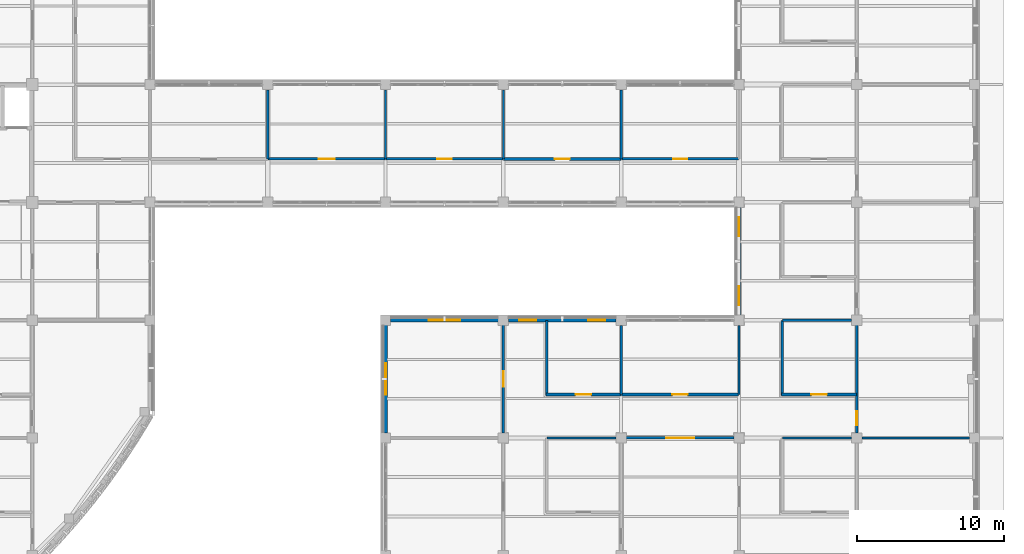
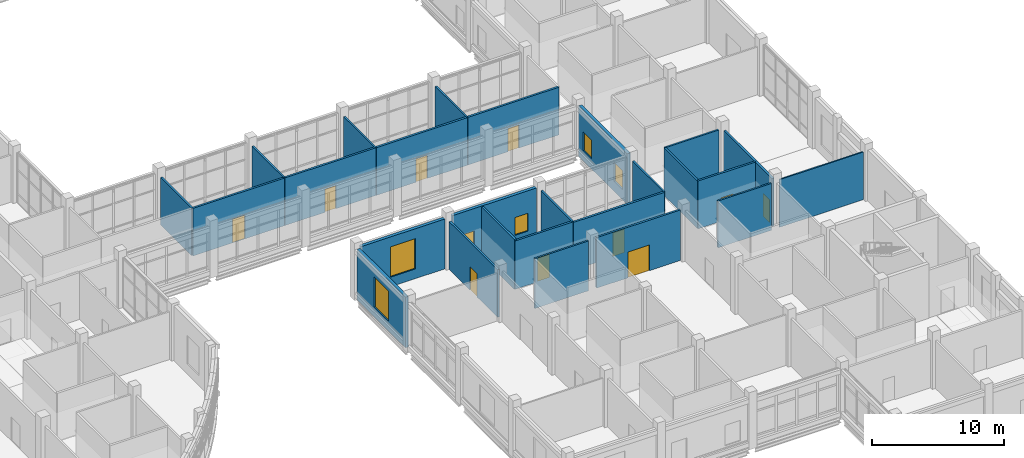
# One storey, part 77 of 105: 26 walls, 10 doors, 6 windows, 16 openings.
"""IFC4 building model written with IfcOpenShell, lengths in metres."""

from ifc_helpers import new_model, si_unit, derived_unit, direction, frame, frame_2d, origin, place, context, subcontext, project, spatial, rectangle, extrude, material, layer, layer_set, type_object, element, fill, save


model = new_model("IFC4")

# Units and contexts
model_context = context("Model", 3, precision=1e-05, world=origin(), true_north=direction((0.0, 1.0)))
body_context = subcontext(model_context, "Body", "Model", "MODEL_VIEW")
ifc_project = project(units=[si_unit("LENGTHUNIT", "METRE"), si_unit("AREAUNIT", "SQUARE_METRE"), si_unit("VOLUMEUNIT", "CUBIC_METRE"), si_unit("PLANEANGLEUNIT", "RADIAN"), si_unit("MASSUNIT", "GRAM", prefix="KILO"), derived_unit("THERMALTRANSMITTANCEUNIT", [(si_unit("MASSUNIT", "GRAM", prefix="KILO"), 1), (si_unit("TIMEUNIT", "SECOND"), -3), (si_unit("THERMODYNAMICTEMPERATUREUNIT", "KELVIN"), -1)])], contexts=[model_context])

# Site, building, storey
site_placement = place(None, origin())
site = spatial("IfcSite", under=ifc_project, at=site_placement, CompositionType="ELEMENT")
building_placement = place(site_placement, origin())
building = spatial("IfcBuilding", under=site, at=building_placement, Name="Veyamyaing Civic Hall", CompositionType="ELEMENT")
storey_placement = place(building_placement, origin())
storey = spatial("IfcBuildingStorey", under=building, at=storey_placement, Name="L00", CompositionType="ELEMENT", Elevation=0.0)

# Wall, openings, windows
ifc_material_1 = material(Name="Precast concrete C40/50", Category="concrete")
ifc_layer_1 = layer(ifc_material_1, 0.280029296875, Name="Precast concrete C40/50")
ifc_layer_set_1 = layer_set([ifc_layer_1], Name="Precast concrete C40/50")
wall_type_1 = type_object("IfcWallType", Name="WT-04", PredefinedType="SOLIDWALL", material=ifc_layer_set_1)
wall_1_placement = place(storey_placement, frame((160.0, 40.3349609375, 0.0), z_axis=(0.0, 0.0, 1.0), x_axis=(0.0, 1.0, 0.0)))
wall_1 = element("IfcWall", 1, at=wall_1_placement, inside=storey, type_object=wall_type_1, Name="Exterior facade wall WT-04 L00 W 21.6", PredefinedType="SOLIDWALL", context=body_context, shape_type="SweptSolid", body=[
    extrude(rectangle(XDim=7.330078125, YDim=0.280029296875, at=frame_2d((3.6650390625, 0.0))), origin(), (0.0, 0.0, 1.0), 4.674072265625),
])
opening_1_placement = place(wall_1_placement, frame((0.679443359375, 0.0, 0.949951171875)))
opening_1 = element("IfcOpeningElement", 2, at=opening_1_placement, cuts=wall_1, Name="Opening W-31", PredefinedType="OPENING", context=body_context, shape_type="SweptSolid", body=[
    extrude(rectangle(XDim=1.280029296875, YDim=1.719970703125, at=frame_2d((0.64013671875, 0.85986328125))), frame((0.0, 0.14990234375, 0.0), z_axis=(0.0, -1.0, 0.0), x_axis=(1.0, 0.0, 0.0)), (0.0, 0.0, 1.0), 0.300048828125),
])
opening_2_placement = place(wall_1_placement, frame((5.37060546875, 0.0, 0.949951171875)))
opening_2 = element("IfcOpeningElement", 3, at=opening_2_placement, cuts=wall_1, Name="Opening W-31", PredefinedType="OPENING", context=body_context, shape_type="SweptSolid", body=[
    extrude(rectangle(XDim=1.280029296875, YDim=1.719970703125, at=frame_2d((0.64013671875, 0.85986328125))), frame((0.0, 0.14990234375, 0.0), z_axis=(0.0, -1.0, 0.0), x_axis=(1.0, 0.0, 0.0)), (0.0, 0.0, 1.0), 0.300048828125),
])
ifc_material_2 = material(Name="Low-E insulated glass", Category="glass")
window_type_1 = type_object("IfcWindowType", Name="W-31", PartitioningType="SINGLE_PANEL", PredefinedType="WINDOW", material=ifc_material_2)
window_1_placement = place(opening_1_placement, origin())
window_1 = element("IfcWindow", 4, at=window_1_placement, inside=storey, type_object=window_type_1, Name="Facade window W-31 L00 W 21.6.1", OverallHeight=1.719970703125, OverallWidth=1.280029296875, PartitioningType="SINGLE_PANEL", PredefinedType="WINDOW", context=body_context, shape_type="SweptSolid", body=[
    extrude(rectangle(XDim=1.280029296875, YDim=1.719970703125, at=frame_2d((0.64013671875, 0.85986328125))), frame((0.0, 0.030029296875, 0.0), z_axis=(0.0, -1.0, 0.0), x_axis=(1.0, 0.0, 0.0)), (0.0, 0.0, 1.0), 0.06005859375),
])
fill(opening_1, window_1)
window_2_placement = place(opening_2_placement, origin())
window_2 = element("IfcWindow", 5, at=window_2_placement, inside=storey, type_object=window_type_1, Name="Facade window W-31 L00 W 21.6.2", OverallHeight=1.719970703125, OverallWidth=1.280029296875, PartitioningType="SINGLE_PANEL", PredefinedType="WINDOW", context=body_context, shape_type="SweptSolid", body=[
    extrude(rectangle(XDim=1.280029296875, YDim=1.719970703125, at=frame_2d((0.64013671875, 0.85986328125))), frame((0.0, 0.030029296875, 0.0), z_axis=(0.0, -1.0, 0.0), x_axis=(1.0, 0.0, 0.0)), (0.0, 0.0, 1.0), 0.06005859375),
])
fill(opening_2, window_2)

# Wall, opening, door
ifc_material_3 = material(Name="Gypsum board on acoustic steel stud", Category="steel")
ifc_layer_2 = layer(ifc_material_3, 0.175048828125, Name="Gypsum board on acoustic steel stud")
ifc_layer_set_2 = layer_set([ifc_layer_2], Name="Gypsum board on acoustic steel stud")
wall_type_2 = type_object("IfcWallType", Name="WT-07", PredefinedType="PARTITIONING", material=ifc_layer_set_2)
wall_2_placement = place(storey_placement, frame((128.02001953125, 50.949951171875, 0.0), z_axis=(0.0, 0.0, 1.0), x_axis=(1.0, 0.0, 0.0)))
wall_2 = element("IfcWall", 6, at=wall_2_placement, inside=storey, type_object=wall_type_2, Name="Corridor gallery partition WT-07 L00.53.1", PredefinedType="PARTITIONING", context=body_context, shape_type="SweptSolid", body=[
    extrude(rectangle(XDim=7.9599609375, YDim=0.175048828125, at=frame_2d((3.97998046875, 0.0))), origin(), (0.0, 0.0, 1.0), 4.404052734375),
])
opening_3_placement = place(wall_2_placement, frame((3.43994140625, 0.0, 0.0)))
opening_3 = element("IfcOpeningElement", 7, at=opening_3_placement, cuts=wall_2, Name="Opening D-23", PredefinedType="OPENING", context=body_context, shape_type="SweptSolid", body=[
    extrude(rectangle(XDim=1.080078125, YDim=2.199951171875, at=frame_2d((0.5400390625, 1.10009765625))), frame((0.0, 0.097412109375, 0.0), z_axis=(0.0, -1.0, 0.0), x_axis=(1.0, 0.0, 0.0)), (0.0, 0.0, 1.0), 0.195068359375),
])
ifc_material_4 = material(Name="Teak-veneered acoustic timber", Category="wood")
door_type_1 = type_object("IfcDoorType", Name="D-23", OperationType="NOTDEFINED", PredefinedType="DOOR", material=ifc_material_4)
door_1_placement = place(opening_3_placement, origin())
door_1 = element("IfcDoor", 8, at=door_1_placement, inside=storey, type_object=door_type_1, Name="Gallery office door D-23 L00.53", OperationType="SINGLE_SWING_RIGHT", OverallHeight=2.199951171875, OverallWidth=1.080078125, PredefinedType="DOOR", context=body_context, shape_type="SweptSolid", body=[
    extrude(rectangle(XDim=1.080078125, YDim=2.199951171875, at=frame_2d((0.5400390625, 1.10009765625))), frame((0.0, 0.02490234375, 0.0), z_axis=(0.0, -1.0, 0.0), x_axis=(1.0, 0.0, 0.0)), (0.0, 0.0, 1.0), 0.050048828125),
])
fill(opening_3, door_1)

wall_3_placement = place(storey_placement, frame((136.02001953125, 50.949951171875, 0.0), z_axis=(0.0, 0.0, 1.0), x_axis=(1.0, 0.0, 0.0)))
wall_3 = element("IfcWall", 9, at=wall_3_placement, inside=storey, type_object=wall_type_2, Name="Corridor gallery partition WT-07 L00.55.1", PredefinedType="PARTITIONING", context=body_context, shape_type="SweptSolid", body=[
    extrude(rectangle(XDim=7.9599609375, YDim=0.175048828125, at=frame_2d((3.97998046875, 0.0))), origin(), (0.0, 0.0, 1.0), 4.403076171875),
])
opening_4_placement = place(wall_3_placement, frame((3.5, 0.0, 0.0)))
opening_4 = element("IfcOpeningElement", 10, at=opening_4_placement, cuts=wall_3, Name="Opening D-25", PredefinedType="OPENING", context=body_context, shape_type="SweptSolid", body=[
    extrude(rectangle(XDim=0.9599609375, YDim=2.139892578125, at=frame_2d((0.47998046875, 1.06982421875))), frame((0.0, 0.097412109375, 0.0), z_axis=(0.0, -1.0, 0.0), x_axis=(1.0, 0.0, 0.0)), (0.0, 0.0, 1.0), 0.195068359375),
])
door_type_2 = type_object("IfcDoorType", Name="D-25", OperationType="NOTDEFINED", PredefinedType="DOOR", material=ifc_material_4)
door_2_placement = place(opening_4_placement, origin())
door_2 = element("IfcDoor", 11, at=door_2_placement, inside=storey, type_object=door_type_2, Name="Gallery office door D-25 L00.55", OperationType="SINGLE_SWING_RIGHT", OverallHeight=2.139892578125, OverallWidth=0.9599609375, PredefinedType="DOOR", context=body_context, shape_type="SweptSolid", body=[
    extrude(rectangle(XDim=0.9599609375, YDim=2.139892578125, at=frame_2d((0.47998046875, 1.06982421875))), frame((0.0, 0.02490234375, 0.0), z_axis=(0.0, -1.0, 0.0), x_axis=(1.0, 0.0, 0.0)), (0.0, 0.0, 1.0), 0.050048828125),
])
fill(opening_4, door_2)

wall_4_placement = place(storey_placement, frame((146.89990234375, 34.949951171875, 0.0), z_axis=(0.0, 0.0, 1.0), x_axis=(1.0, 0.0, 0.0)))
wall_4 = element("IfcWall", 12, at=wall_4_placement, inside=storey, type_object=wall_type_2, Name="Corridor gallery partition WT-07 L00.59.1", PredefinedType="PARTITIONING", context=body_context, shape_type="SweptSolid", body=[
    extrude(rectangle(XDim=5.080078125, YDim=0.175048828125, at=frame_2d((2.5400390625, 0.0))), origin(), (0.0, 0.0, 1.0), 4.470947265625),
])
opening_5_placement = place(wall_4_placement, frame((2.014892578125, 0.0, 0.0)))
opening_5 = element("IfcOpeningElement", 13, at=opening_5_placement, cuts=wall_4, Name="Opening D-12", PredefinedType="OPENING", context=body_context, shape_type="SweptSolid", body=[
    extrude(rectangle(XDim=1.050048828125, YDim=2.14990234375, at=frame_2d((0.52490234375, 1.074951171875))), frame((0.0, 0.097412109375, 0.0), z_axis=(0.0, -1.0, 0.0), x_axis=(1.0, 0.0, 0.0)), (0.0, 0.0, 1.0), 0.195068359375),
])
door_type_3 = type_object("IfcDoorType", Name="D-12", OperationType="NOTDEFINED", PredefinedType="DOOR", material=ifc_material_4)
door_3_placement = place(opening_5_placement, origin())
door_3 = element("IfcDoor", 14, at=door_3_placement, inside=storey, type_object=door_type_3, Name="Gallery office door D-12 L00.59", OperationType="SINGLE_SWING_RIGHT", OverallHeight=2.14990234375, OverallWidth=1.050048828125, PredefinedType="DOOR", context=body_context, shape_type="SweptSolid", body=[
    extrude(rectangle(XDim=1.050048828125, YDim=2.14990234375, at=frame_2d((0.52490234375, 1.074951171875))), frame((0.0, 0.02490234375, 0.0), z_axis=(0.0, -1.0, 0.0), x_axis=(1.0, 0.0, 0.0)), (0.0, 0.0, 1.0), 0.050048828125),
])
fill(opening_5, door_3)

# Wall
wall_5_placement = place(storey_placement, frame((146.949951171875, 34.89990234375, 0.0), z_axis=(0.0, 0.0, 1.0), x_axis=(0.0, 1.0, 0.0)))
element("IfcWall", 15, at=wall_5_placement, inside=storey, type_object=wall_type_2, Name="Corridor gallery partition WT-07 L00.59.2", PredefinedType="PARTITIONING", context=body_context, shape_type="SweptSolid", body=[
    extrude(rectangle(XDim=5.080078125, YDim=0.175048828125, at=frame_2d((2.5400390625, 0.0))), origin(), (0.0, 0.0, 1.0), 4.613037109375),
])

# Wall, opening, door
wall_6_placement = place(storey_placement, frame((152.02001953125, 50.949951171875, 0.0), z_axis=(0.0, 0.0, 1.0), x_axis=(1.0, 0.0, 0.0)))
wall_6 = element("IfcWall", 16, at=wall_6_placement, inside=storey, type_object=wall_type_2, Name="Corridor gallery partition WT-07 L00.65.1", PredefinedType="PARTITIONING", context=body_context, shape_type="SweptSolid", body=[
    extrude(rectangle(XDim=7.9599609375, YDim=0.175048828125, at=frame_2d((3.97998046875, 0.0))), origin(), (0.0, 0.0, 1.0), 4.404052734375),
])
opening_6_placement = place(wall_6_placement, frame((3.5, 0.0, 0.0)))
opening_6 = element("IfcOpeningElement", 17, at=opening_6_placement, cuts=wall_6, Name="Opening D-25", PredefinedType="OPENING", context=body_context, shape_type="SweptSolid", body=[
    extrude(rectangle(XDim=0.9599609375, YDim=2.139892578125, at=frame_2d((0.47998046875, 1.06982421875))), frame((0.0, 0.097412109375, 0.0), z_axis=(0.0, -1.0, 0.0), x_axis=(1.0, 0.0, 0.0)), (0.0, 0.0, 1.0), 0.195068359375),
])
door_4_placement = place(opening_6_placement, origin())
door_4 = element("IfcDoor", 18, at=door_4_placement, inside=storey, type_object=door_type_2, Name="Gallery office door D-25 L00.65", OperationType="SINGLE_SWING_RIGHT", OverallHeight=2.139892578125, OverallWidth=0.9599609375, PredefinedType="DOOR", context=body_context, shape_type="SweptSolid", body=[
    extrude(rectangle(XDim=0.9599609375, YDim=2.139892578125, at=frame_2d((0.47998046875, 1.06982421875))), frame((0.0, 0.02490234375, 0.0), z_axis=(0.0, -1.0, 0.0), x_axis=(1.0, 0.0, 0.0)), (0.0, 0.0, 1.0), 0.050048828125),
])
fill(opening_6, door_4)

wall_7_placement = place(storey_placement, frame((162.89990234375, 34.949951171875, 0.0), z_axis=(0.0, 0.0, 1.0), x_axis=(1.0, 0.0, 0.0)))
wall_7 = element("IfcWall", 19, at=wall_7_placement, inside=storey, type_object=wall_type_2, Name="Corridor gallery partition WT-07 L00.69.1", PredefinedType="PARTITIONING", context=body_context, shape_type="SweptSolid", body=[
    extrude(rectangle(XDim=5.080078125, YDim=0.175048828125, at=frame_2d((2.5400390625, 0.0))), origin(), (0.0, 0.0, 1.0), 4.412109375),
])
opening_7_placement = place(wall_7_placement, frame((2.014892578125, 0.0, 0.0)))
opening_7 = element("IfcOpeningElement", 20, at=opening_7_placement, cuts=wall_7, Name="Opening D-12", PredefinedType="OPENING", context=body_context, shape_type="SweptSolid", body=[
    extrude(rectangle(XDim=1.050048828125, YDim=2.14990234375, at=frame_2d((0.52490234375, 1.074951171875))), frame((0.0, 0.097412109375, 0.0), z_axis=(0.0, -1.0, 0.0), x_axis=(1.0, 0.0, 0.0)), (0.0, 0.0, 1.0), 0.195068359375),
])
door_5_placement = place(opening_7_placement, origin())
door_5 = element("IfcDoor", 21, at=door_5_placement, inside=storey, type_object=door_type_3, Name="Gallery office door D-12 L00.69", OperationType="SINGLE_SWING_RIGHT", OverallHeight=2.14990234375, OverallWidth=1.050048828125, PredefinedType="DOOR", context=body_context, shape_type="SweptSolid", body=[
    extrude(rectangle(XDim=1.050048828125, YDim=2.14990234375, at=frame_2d((0.52490234375, 1.074951171875))), frame((0.0, 0.02490234375, 0.0), z_axis=(0.0, -1.0, 0.0), x_axis=(1.0, 0.0, 0.0)), (0.0, 0.0, 1.0), 0.050048828125),
])
fill(opening_7, door_5)

# Wall
wall_8_placement = place(storey_placement, frame((162.949951171875, 34.89990234375, 0.0), z_axis=(0.0, 0.0, 1.0), x_axis=(0.0, 1.0, 0.0)))
element("IfcWall", 22, at=wall_8_placement, inside=storey, type_object=wall_type_2, Name="Corridor gallery partition WT-07 L00.69.2", PredefinedType="PARTITIONING", context=body_context, shape_type="SweptSolid", body=[
    extrude(rectangle(XDim=5.080078125, YDim=0.175048828125, at=frame_2d((2.5400390625, 0.0))), origin(), (0.0, 0.0, 1.0), 4.403076171875),
])

# Wall, opening, door
wall_9_placement = place(storey_placement, frame((144.0, 32.340087890625, 0.0), z_axis=(0.0, 0.0, 1.0), x_axis=(0.0, 1.0, 0.0)))
wall_9 = element("IfcWall", 23, at=wall_9_placement, inside=storey, type_object=wall_type_2, Name="Interior partition wall WT-07 L00.129", PredefinedType="PARTITIONING", context=body_context, shape_type="SweptSolid", body=[
    extrude(rectangle(XDim=7.31982421875, YDim=0.175048828125, at=frame_2d((3.659912109375, 0.0))), origin(), (0.0, 0.0, 1.0), 4.404052734375),
])
opening_8_placement = place(wall_9_placement, frame((3.135009765625, 0.0, 0.0)))
opening_8 = element("IfcOpeningElement", 24, at=opening_8_placement, cuts=wall_9, Name="Opening D-12", PredefinedType="OPENING", context=body_context, shape_type="SweptSolid", body=[
    extrude(rectangle(XDim=1.050048828125, YDim=2.14990234375, at=frame_2d((0.52490234375, 1.074951171875))), frame((0.0, 0.097412109375, 0.0), z_axis=(0.0, -1.0, 0.0), x_axis=(1.0, 0.0, 0.0)), (0.0, 0.0, 1.0), 0.195068359375),
])
door_6_placement = place(opening_8_placement, origin())
door_6 = element("IfcDoor", 25, at=door_6_placement, inside=storey, type_object=door_type_3, Name="Interior door D-12 L00.129", OperationType="SINGLE_SWING_LEFT", OverallHeight=2.14990234375, OverallWidth=1.050048828125, PredefinedType="DOOR", context=body_context, shape_type="SweptSolid", body=[
    extrude(rectangle(XDim=1.050048828125, YDim=2.14990234375, at=frame_2d((0.52490234375, 1.074951171875))), frame((0.0, 0.02490234375, 0.0), z_axis=(0.0, -1.0, 0.0), x_axis=(1.0, 0.0, 0.0)), (0.0, 0.0, 1.0), 0.050048828125),
])
fill(opening_8, door_6)

wall_10_placement = place(storey_placement, frame((152.340087890625, 32.0, 0.0), z_axis=(0.0, 0.0, 1.0), x_axis=(1.0, 0.0, 0.0)))
wall_10 = element("IfcWall", 26, at=wall_10_placement, inside=storey, type_object=wall_type_2, Name="Interior partition wall WT-07 L00.139", PredefinedType="PARTITIONING", context=body_context, shape_type="SweptSolid", body=[
    extrude(rectangle(XDim=7.31982421875, YDim=0.175048828125, at=frame_2d((3.659912109375, 0.0))), origin(), (0.0, 0.0, 1.0), 4.669921875),
])
opening_9_placement = place(wall_10_placement, frame((2.7099609375, 0.0, 0.0)))
opening_9 = element("IfcOpeningElement", 27, at=opening_9_placement, cuts=wall_10, Name="Opening D-31", PredefinedType="OPENING", context=body_context, shape_type="SweptSolid", body=[
    extrude(rectangle(XDim=1.89990234375, YDim=2.3798828125, at=frame_2d((0.949951171875, 1.18994140625))), frame((0.0, 0.097412109375, 0.0), z_axis=(0.0, -1.0, 0.0), x_axis=(1.0, 0.0, 0.0)), (0.0, 0.0, 1.0), 0.195068359375),
])
door_type_4 = type_object("IfcDoorType", Name="D-31", OperationType="DOUBLE_DOOR_SINGLE_SWING", PredefinedType="DOOR", material=ifc_material_4)
door_7_placement = place(opening_9_placement, frame((1.89990234375, 0.0, 0.0), z_axis=(0.0, 0.0, 1.0), x_axis=(-1.0, 0.0, 0.0)))
door_7 = element("IfcDoor", 28, at=door_7_placement, inside=storey, type_object=door_type_4, Name="Interior door D-31 L00.139", OperationType="DOUBLE_DOOR_SINGLE_SWING", OverallHeight=2.3798828125, OverallWidth=1.89990234375, PredefinedType="DOOR", context=body_context, shape_type="SweptSolid", body=[
    extrude(rectangle(XDim=1.89990234375, YDim=2.3798828125, at=frame_2d((0.949951171875, 1.18994140625))), frame((0.0, 0.02490234375, 0.0), z_axis=(0.0, -1.0, 0.0), x_axis=(1.0, 0.0, 0.0)), (0.0, 0.0, 1.0), 0.050048828125),
])
fill(opening_9, door_7)

# Walls
ifc_material_5 = material(Name="Gypsum board on steel stud", Category="steel")
ifc_layer_3 = layer(ifc_material_5, 0.14990234375, Name="Gypsum board on steel stud")
ifc_layer_set_3 = layer_set([ifc_layer_3], Name="Gypsum board on steel stud")
wall_type_3 = type_object("IfcWallType", Name="WT-08", PredefinedType="PARTITIONING", material=ifc_layer_set_3)
wall_11_placement = place(storey_placement, frame((128.0, 50.949951171875, 0.0), z_axis=(0.0, 0.0, 1.0), x_axis=(0.0, 1.0, 0.0)))
element("IfcWall", 29, at=wall_11_placement, inside=storey, type_object=wall_type_3, Name="Gallery office end partition WT-08 L00.52.2", PredefinedType="PARTITIONING", context=body_context, shape_type="SweptSolid", body=[
    extrude(rectangle(XDim=4.68994140625, YDim=0.14990234375, at=frame_2d((2.344970703125, 0.0))), origin(), (0.0, 0.0, 1.0), 4.404052734375),
])
wall_12_placement = place(storey_placement, frame((136.0, 50.949951171875, 0.0), z_axis=(0.0, 0.0, 1.0), x_axis=(0.0, 1.0, 0.0)))
element("IfcWall", 30, at=wall_12_placement, inside=storey, type_object=wall_type_3, Name="Gallery office end partition WT-08 L00.53.2", PredefinedType="PARTITIONING", context=body_context, shape_type="SweptSolid", body=[
    extrude(rectangle(XDim=4.68994140625, YDim=0.14990234375, at=frame_2d((2.344970703125, 0.0))), origin(), (0.0, 0.0, 1.0), 4.470947265625),
])
wall_13_placement = place(storey_placement, frame((144.0, 50.949951171875, 0.0), z_axis=(0.0, 0.0, 1.0), x_axis=(0.0, 1.0, 0.0)))
element("IfcWall", 31, at=wall_13_placement, inside=storey, type_object=wall_type_3, Name="Gallery office end partition WT-08 L00.55.2", PredefinedType="PARTITIONING", context=body_context, shape_type="SweptSolid", body=[
    extrude(rectangle(XDim=4.68994140625, YDim=0.14990234375, at=frame_2d((2.344970703125, 0.0))), origin(), (0.0, 0.0, 1.0), 4.403076171875),
])
wall_14_placement = place(storey_placement, frame((146.949951171875, 32.0, 0.0), z_axis=(0.0, 0.0, 1.0), x_axis=(1.0, 0.0, 0.0)))
element("IfcWall", 32, at=wall_14_placement, inside=storey, type_object=wall_type_3, Name="Gallery office end partition WT-08 L00.58.1", PredefinedType="PARTITIONING", context=body_context, shape_type="SweptSolid", body=[
    extrude(rectangle(XDim=4.68994140625, YDim=0.14990234375, at=frame_2d((2.344970703125, 0.0))), origin(), (0.0, 0.0, 1.0), 4.60693359375),
])
wall_15_placement = place(storey_placement, frame((152.0, 34.949951171875, 0.0), z_axis=(0.0, 0.0, 1.0), x_axis=(0.0, 1.0, 0.0)))
element("IfcWall", 33, at=wall_15_placement, inside=storey, type_object=wall_type_3, Name="Gallery office end partition WT-08 L00.59.2", PredefinedType="PARTITIONING", context=body_context, shape_type="SweptSolid", body=[
    extrude(rectangle(XDim=4.68994140625, YDim=0.14990234375, at=frame_2d((2.344970703125, 0.0))), origin(), (0.0, 0.0, 1.0), 4.470947265625),
])
wall_16_placement = place(storey_placement, frame((152.0, 50.949951171875, 0.0), z_axis=(0.0, 0.0, 1.0), x_axis=(0.0, 1.0, 0.0)))
element("IfcWall", 34, at=wall_16_placement, inside=storey, type_object=wall_type_3, Name="Gallery office end partition WT-08 L00.60.2", PredefinedType="PARTITIONING", context=body_context, shape_type="SweptSolid", body=[
    extrude(rectangle(XDim=4.68994140625, YDim=0.14990234375, at=frame_2d((2.344970703125, 0.0))), origin(), (0.0, 0.0, 1.0), 4.412109375),
])
wall_17_placement = place(storey_placement, frame((160.0, 34.949951171875, 0.0), z_axis=(0.0, 0.0, 1.0), x_axis=(0.0, 1.0, 0.0)))
element("IfcWall", 35, at=wall_17_placement, inside=storey, type_object=wall_type_3, Name="Gallery office end partition WT-08 L00.64.2", PredefinedType="PARTITIONING", context=body_context, shape_type="SweptSolid", body=[
    extrude(rectangle(XDim=4.68994140625, YDim=0.14990234375, at=frame_2d((2.344970703125, 0.0))), origin(), (0.0, 0.0, 1.0), 4.403076171875),
])
wall_18_placement = place(storey_placement, frame((162.949951171875, 32.0, 0.0), z_axis=(0.0, 0.0, 1.0), x_axis=(1.0, 0.0, 0.0)))
element("IfcWall", 36, at=wall_18_placement, inside=storey, type_object=wall_type_3, Name="Gallery office end partition WT-08 L00.68.1", PredefinedType="PARTITIONING", context=body_context, shape_type="SweptSolid", body=[
    extrude(rectangle(XDim=4.68994140625, YDim=0.14990234375, at=frame_2d((2.344970703125, 0.0))), origin(), (0.0, 0.0, 1.0), 4.326904296875),
])
wall_19_placement = place(storey_placement, frame((162.949951171875, 40.0, 0.0), z_axis=(0.0, 0.0, 1.0), x_axis=(1.0, 0.0, 0.0)))
element("IfcWall", 37, at=wall_19_placement, inside=storey, type_object=wall_type_3, Name="Gallery office end partition WT-08 L00.69.1", PredefinedType="PARTITIONING", context=body_context, shape_type="SweptSolid", body=[
    extrude(rectangle(XDim=4.68994140625, YDim=0.14990234375, at=frame_2d((2.344970703125, 0.0))), origin(), (0.0, 0.0, 1.0), 4.403076171875),
])
ifc_layer_4 = layer(ifc_material_5, 0.1201171875, Name="Gypsum board on steel stud")
ifc_layer_set_4 = layer_set([ifc_layer_4], Name="Gypsum board on steel stud")
wall_type_4 = type_object("IfcWallType", Name="WT-16", PredefinedType="PARTITIONING", material=ifc_layer_set_4)
wall_20_placement = place(storey_placement, frame((168.340087890625, 32.0, 0.0), z_axis=(0.0, 0.0, 1.0), x_axis=(1.0, 0.0, 0.0)))
element("IfcWall", 38, at=wall_20_placement, inside=storey, type_object=wall_type_4, Name="Interior partition wall WT-16 L00.157", PredefinedType="PARTITIONING", context=body_context, shape_type="SweptSolid", body=[
    extrude(rectangle(XDim=7.31982421875, YDim=0.1201171875, at=frame_2d((3.659912109375, 0.0))), origin(), (0.0, 0.0, 1.0), 4.403076171875),
])

# Wall, opening, window
ifc_layer_5 = layer(ifc_material_1, 0.27001953125, Name="Precast concrete C40/50")
ifc_layer_set_5 = layer_set([ifc_layer_5], Name="Precast concrete C40/50")
wall_type_5 = type_object("IfcWallType", Name="WT-18", PredefinedType="SOLIDWALL", material=ifc_layer_set_5)
wall_21_placement = place(storey_placement, frame((136.3349609375, 40.0, 0.0), z_axis=(0.0, 0.0, 1.0), x_axis=(1.0, 0.0, 0.0)))
wall_21 = element("IfcWall", 39, at=wall_21_placement, inside=storey, type_object=wall_type_5, Name="Exterior facade wall WT-18 L00 N 18.5", PredefinedType="SOLIDWALL", context=body_context, shape_type="SweptSolid", body=[
    extrude(rectangle(XDim=7.330078125, YDim=0.27001953125, at=frame_2d((3.6650390625, 0.0))), origin(), (0.0, 0.0, 1.0), 4.614013671875),
])
opening_10_placement = place(wall_21_placement, frame((2.590087890625, 0.0, 0.89990234375)))
opening_10 = element("IfcOpeningElement", 40, at=opening_10_placement, cuts=wall_21, Name="Opening W-02", PredefinedType="OPENING", context=body_context, shape_type="SweptSolid", body=[
    extrude(rectangle(XDim=2.14990234375, YDim=2.800048828125, at=frame_2d((1.074951171875, 1.39990234375))), frame((0.0, 0.14501953125, 0.0), z_axis=(0.0, -1.0, 0.0), x_axis=(1.0, 0.0, 0.0)), (0.0, 0.0, 1.0), 0.2900390625),
])
window_type_2 = type_object("IfcWindowType", Name="W-02", PartitioningType="SINGLE_PANEL", PredefinedType="WINDOW", material=ifc_material_2)
window_3_placement = place(opening_10_placement, origin())
window_3 = element("IfcWindow", 41, at=window_3_placement, inside=storey, type_object=window_type_2, Name="Facade window W-02 L00 N 18.5", OverallHeight=2.800048828125, OverallWidth=2.14990234375, PartitioningType="SINGLE_PANEL", PredefinedType="WINDOW", context=body_context, shape_type="SweptSolid", body=[
    extrude(rectangle(XDim=2.14990234375, YDim=2.800048828125, at=frame_2d((1.074951171875, 1.39990234375))), frame((0.0, 0.030029296875, 0.0), z_axis=(0.0, -1.0, 0.0), x_axis=(1.0, 0.0, 0.0)), (0.0, 0.0, 1.0), 0.06005859375),
])
fill(opening_10, window_3)

wall_22_placement = place(storey_placement, frame((136.0, 32.3349609375, 0.0), z_axis=(0.0, 0.0, 1.0), x_axis=(0.0, 1.0, 0.0)))
wall_22 = element("IfcWall", 42, at=wall_22_placement, inside=storey, type_object=wall_type_5, Name="Exterior facade wall WT-18 L00 W 18.5", PredefinedType="SOLIDWALL", context=body_context, shape_type="SweptSolid", body=[
    extrude(rectangle(XDim=7.330078125, YDim=0.27001953125, at=frame_2d((3.6650390625, 0.0))), origin(), (0.0, 0.0, 1.0), 4.674072265625),
])
opening_11_placement = place(wall_22_placement, frame((2.590087890625, 0.0, 0.89990234375)))
opening_11 = element("IfcOpeningElement", 43, at=opening_11_placement, cuts=wall_22, Name="Opening W-02", PredefinedType="OPENING", context=body_context, shape_type="SweptSolid", body=[
    extrude(rectangle(XDim=2.14990234375, YDim=2.800048828125, at=frame_2d((1.074951171875, 1.39990234375))), frame((0.0, 0.14501953125, 0.0), z_axis=(0.0, -1.0, 0.0), x_axis=(1.0, 0.0, 0.0)), (0.0, 0.0, 1.0), 0.2900390625),
])
window_4_placement = place(opening_11_placement, origin())
window_4 = element("IfcWindow", 44, at=window_4_placement, inside=storey, type_object=window_type_2, Name="Facade window W-02 L00 W 18.5", OverallHeight=2.800048828125, OverallWidth=2.14990234375, PartitioningType="SINGLE_PANEL", PredefinedType="WINDOW", context=body_context, shape_type="SweptSolid", body=[
    extrude(rectangle(XDim=2.14990234375, YDim=2.800048828125, at=frame_2d((1.074951171875, 1.39990234375))), frame((0.0, 0.030029296875, 0.0), z_axis=(0.0, -1.0, 0.0), x_axis=(1.0, 0.0, 0.0)), (0.0, 0.0, 1.0), 0.06005859375),
])
fill(opening_11, window_4)

# Wall, openings, windows
wall_23_placement = place(storey_placement, frame((144.3349609375, 40.0, 0.0), z_axis=(0.0, 0.0, 1.0), x_axis=(1.0, 0.0, 0.0)))
wall_23 = element("IfcWall", 45, at=wall_23_placement, inside=storey, type_object=wall_type_5, Name="Exterior facade wall WT-18 L00 N 19.5", PredefinedType="SOLIDWALL", context=body_context, shape_type="SweptSolid", body=[
    extrude(rectangle(XDim=7.330078125, YDim=0.27001953125, at=frame_2d((3.6650390625, 0.0))), origin(), (0.0, 0.0, 1.0), 4.677001953125),
])
opening_12_placement = place(wall_23_placement, frame((0.744384765625, 0.0, 0.949951171875)))
opening_12 = element("IfcOpeningElement", 46, at=opening_12_placement, cuts=wall_23, Name="Opening W-32", PredefinedType="OPENING", context=body_context, shape_type="SweptSolid", body=[
    extrude(rectangle(XDim=1.14990234375, YDim=1.64990234375, at=frame_2d((0.574951171875, 0.824951171875))), frame((0.0, 0.14501953125, 0.0), z_axis=(0.0, -1.0, 0.0), x_axis=(1.0, 0.0, 0.0)), (0.0, 0.0, 1.0), 0.2900390625),
])
opening_13_placement = place(wall_23_placement, frame((5.435546875, 0.0, 0.949951171875)))
opening_13 = element("IfcOpeningElement", 47, at=opening_13_placement, cuts=wall_23, Name="Opening W-32", PredefinedType="OPENING", context=body_context, shape_type="SweptSolid", body=[
    extrude(rectangle(XDim=1.14990234375, YDim=1.64990234375, at=frame_2d((0.574951171875, 0.824951171875))), frame((0.0, 0.14501953125, 0.0), z_axis=(0.0, -1.0, 0.0), x_axis=(1.0, 0.0, 0.0)), (0.0, 0.0, 1.0), 0.2900390625),
])
window_type_3 = type_object("IfcWindowType", Name="W-32", PartitioningType="SINGLE_PANEL", PredefinedType="WINDOW", material=ifc_material_2)
window_5_placement = place(opening_12_placement, origin())
window_5 = element("IfcWindow", 48, at=window_5_placement, inside=storey, type_object=window_type_3, Name="Facade window W-32 L00 N 19.5.1", OverallHeight=1.64990234375, OverallWidth=1.14990234375, PartitioningType="SINGLE_PANEL", PredefinedType="WINDOW", context=body_context, shape_type="SweptSolid", body=[
    extrude(rectangle(XDim=1.14990234375, YDim=1.64990234375, at=frame_2d((0.574951171875, 0.824951171875))), frame((0.0, 0.030029296875, 0.0), z_axis=(0.0, -1.0, 0.0), x_axis=(1.0, 0.0, 0.0)), (0.0, 0.0, 1.0), 0.06005859375),
])
fill(opening_12, window_5)
window_6_placement = place(opening_13_placement, origin())
window_6 = element("IfcWindow", 49, at=window_6_placement, inside=storey, type_object=window_type_3, Name="Facade window W-32 L00 N 19.5.2", OverallHeight=1.64990234375, OverallWidth=1.14990234375, PartitioningType="SINGLE_PANEL", PredefinedType="WINDOW", context=body_context, shape_type="SweptSolid", body=[
    extrude(rectangle(XDim=1.14990234375, YDim=1.64990234375, at=frame_2d((0.574951171875, 0.824951171875))), frame((0.0, 0.030029296875, 0.0), z_axis=(0.0, -1.0, 0.0), x_axis=(1.0, 0.0, 0.0)), (0.0, 0.0, 1.0), 0.06005859375),
])
fill(opening_13, window_6)

# Wall, opening, door
ifc_material_6 = material(Name="Gypsum board on double acoustic stud")
ifc_layer_6 = layer(ifc_material_6, 0.18505859375, Name="Gypsum board on double acoustic stud")
ifc_layer_set_6 = layer_set([ifc_layer_6], Name="Gypsum board on double acoustic stud")
wall_type_6 = type_object("IfcWallType", Name="WT-19", PredefinedType="PARTITIONING", material=ifc_layer_set_6)
wall_24_placement = place(storey_placement, frame((144.02001953125, 50.949951171875, 0.0), z_axis=(0.0, 0.0, 1.0), x_axis=(1.0, 0.0, 0.0)))
wall_24 = element("IfcWall", 50, at=wall_24_placement, inside=storey, type_object=wall_type_6, Name="Corridor gallery partition WT-19 L00.60.1", PredefinedType="PARTITIONING", context=body_context, shape_type="SweptSolid", body=[
    extrude(rectangle(XDim=7.9599609375, YDim=0.18505859375, at=frame_2d((3.97998046875, 0.0))), origin(), (0.0, 0.0, 1.0), 4.403076171875),
])
opening_14_placement = place(wall_24_placement, frame((3.47998046875, 0.0, 0.0)))
opening_14 = element("IfcOpeningElement", 51, at=opening_14_placement, cuts=wall_24, Name="Opening D-13", PredefinedType="OPENING", context=body_context, shape_type="SweptSolid", body=[
    extrude(rectangle(XDim=1.0, YDim=2.14990234375, at=frame_2d((0.5, 1.074951171875))), frame((0.0, 0.1025390625, 0.0), z_axis=(0.0, -1.0, 0.0), x_axis=(1.0, 0.0, 0.0)), (0.0, 0.0, 1.0), 0.205078125),
])
door_type_5 = type_object("IfcDoorType", Name="D-13", OperationType="NOTDEFINED", PredefinedType="DOOR", material=ifc_material_4)
door_8_placement = place(opening_14_placement, origin())
door_8 = element("IfcDoor", 52, at=door_8_placement, inside=storey, type_object=door_type_5, Name="Gallery office door D-13 L00.60", OperationType="SINGLE_SWING_LEFT", OverallHeight=2.14990234375, OverallWidth=1.0, PredefinedType="DOOR", context=body_context, shape_type="SweptSolid", body=[
    extrude(rectangle(XDim=1.0, YDim=2.14990234375, at=frame_2d((0.5, 1.074951171875))), frame((0.0, 0.02490234375, 0.0), z_axis=(0.0, -1.0, 0.0), x_axis=(1.0, 0.0, 0.0)), (0.0, 0.0, 1.0), 0.050048828125),
])
fill(opening_14, door_8)

wall_25_placement = place(storey_placement, frame((152.02001953125, 34.949951171875, 0.0), z_axis=(0.0, 0.0, 1.0), x_axis=(1.0, 0.0, 0.0)))
wall_25 = element("IfcWall", 53, at=wall_25_placement, inside=storey, type_object=wall_type_6, Name="Corridor gallery partition WT-19 L00.64.1", PredefinedType="PARTITIONING", context=body_context, shape_type="SweptSolid", body=[
    extrude(rectangle(XDim=7.9599609375, YDim=0.18505859375, at=frame_2d((3.97998046875, 0.0))), origin(), (0.0, 0.0, 1.0), 4.403076171875),
])
opening_15_placement = place(wall_25_placement, frame((3.4599609375, 0.0, 0.0)))
opening_15 = element("IfcOpeningElement", 54, at=opening_15_placement, cuts=wall_25, Name="Opening D-24", PredefinedType="OPENING", context=body_context, shape_type="SweptSolid", body=[
    extrude(rectangle(XDim=1.0400390625, YDim=2.179931640625, at=frame_2d((0.52001953125, 1.08984375))), frame((0.0, 0.1025390625, 0.0), z_axis=(0.0, -1.0, 0.0), x_axis=(1.0, 0.0, 0.0)), (0.0, 0.0, 1.0), 0.205078125),
])
door_type_6 = type_object("IfcDoorType", Name="D-24", OperationType="NOTDEFINED", PredefinedType="DOOR", material=ifc_material_4)
door_9_placement = place(opening_15_placement, origin())
door_9 = element("IfcDoor", 55, at=door_9_placement, inside=storey, type_object=door_type_6, Name="Gallery office door D-24 L00.64", OperationType="SINGLE_SWING_LEFT", OverallHeight=2.179931640625, OverallWidth=1.0400390625, PredefinedType="DOOR", context=body_context, shape_type="SweptSolid", body=[
    extrude(rectangle(XDim=1.0400390625, YDim=2.179931640625, at=frame_2d((0.52001953125, 1.08984375))), frame((0.0, 0.02490234375, 0.0), z_axis=(0.0, -1.0, 0.0), x_axis=(1.0, 0.0, 0.0)), (0.0, 0.0, 1.0), 0.050048828125),
])
fill(opening_15, door_9)

wall_26_placement = place(storey_placement, frame((168.0, 32.340087890625, 0.0), z_axis=(0.0, 0.0, 1.0), x_axis=(0.0, 1.0, 0.0)))
wall_26 = element("IfcWall", 56, at=wall_26_placement, inside=storey, type_object=wall_type_6, Name="Interior partition wall WT-19 L00.148", PredefinedType="PARTITIONING", context=body_context, shape_type="SweptSolid", body=[
    extrude(rectangle(XDim=7.31982421875, YDim=0.18505859375, at=frame_2d((3.659912109375, 0.0))), origin(), (0.0, 0.0, 1.0), 4.412109375),
])
opening_16_placement = place(wall_26_placement, frame((0.52001953125, 0.0, 0.0)))
opening_16 = element("IfcOpeningElement", 57, at=opening_16_placement, cuts=wall_26, Name="Opening D-30", PredefinedType="OPENING", context=body_context, shape_type="SweptSolid", body=[
    extrude(rectangle(XDim=0.93994140625, YDim=2.1201171875, at=frame_2d((0.469970703125, 1.06005859375))), frame((0.0, 0.1025390625, 0.0), z_axis=(0.0, -1.0, 0.0), x_axis=(1.0, 0.0, 0.0)), (0.0, 0.0, 1.0), 0.205078125),
])
door_type_7 = type_object("IfcDoorType", Name="D-30", OperationType="NOTDEFINED", PredefinedType="DOOR", material=ifc_material_4)
door_10_placement = place(opening_16_placement, frame((0.93994140625, 0.0, 0.0), z_axis=(0.0, 0.0, 1.0), x_axis=(-1.0, 0.0, 0.0)))
door_10 = element("IfcDoor", 58, at=door_10_placement, inside=storey, type_object=door_type_7, Name="Interior door D-30 L00.148", OperationType="SINGLE_SWING_RIGHT", OverallHeight=2.1201171875, OverallWidth=0.93994140625, PredefinedType="DOOR", context=body_context, shape_type="SweptSolid", body=[
    extrude(rectangle(XDim=0.93994140625, YDim=2.1201171875, at=frame_2d((0.469970703125, 1.06005859375))), frame((0.0, 0.02490234375, 0.0), z_axis=(0.0, -1.0, 0.0), x_axis=(1.0, 0.0, 0.0)), (0.0, 0.0, 1.0), 0.050048828125),
])
fill(opening_16, door_10)

save(model, "model.ifc")
